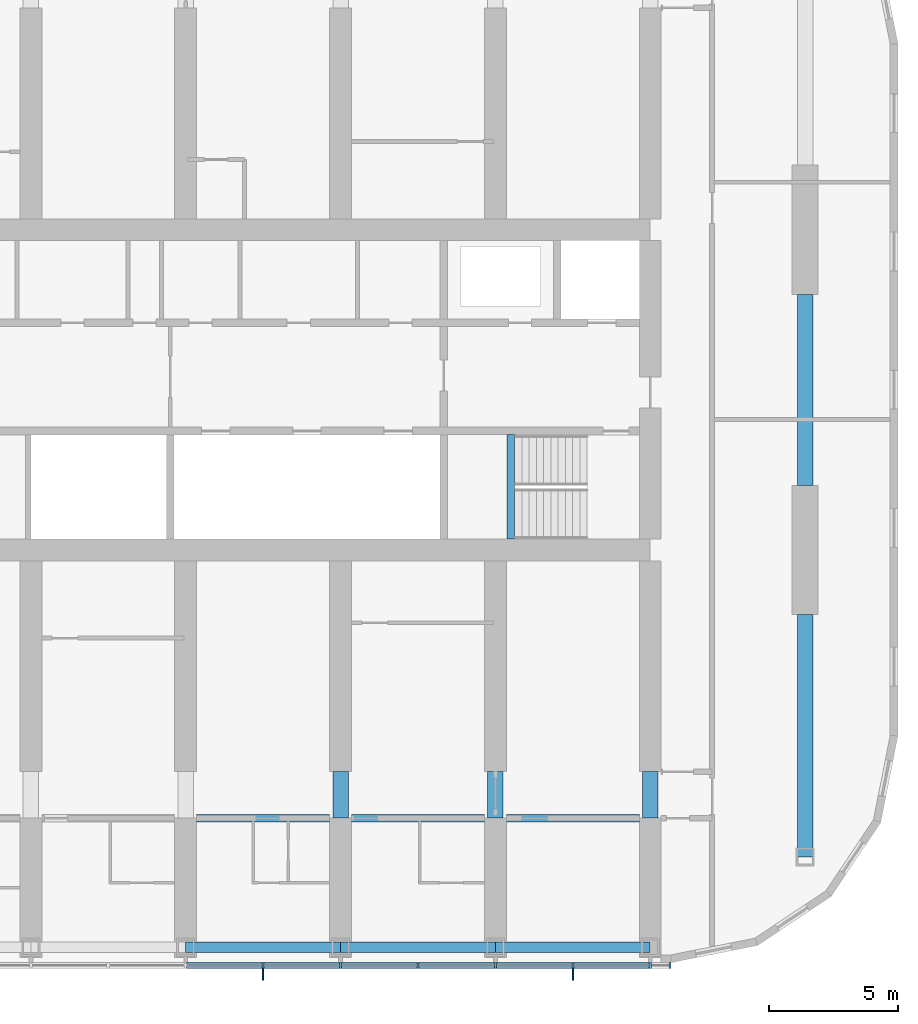
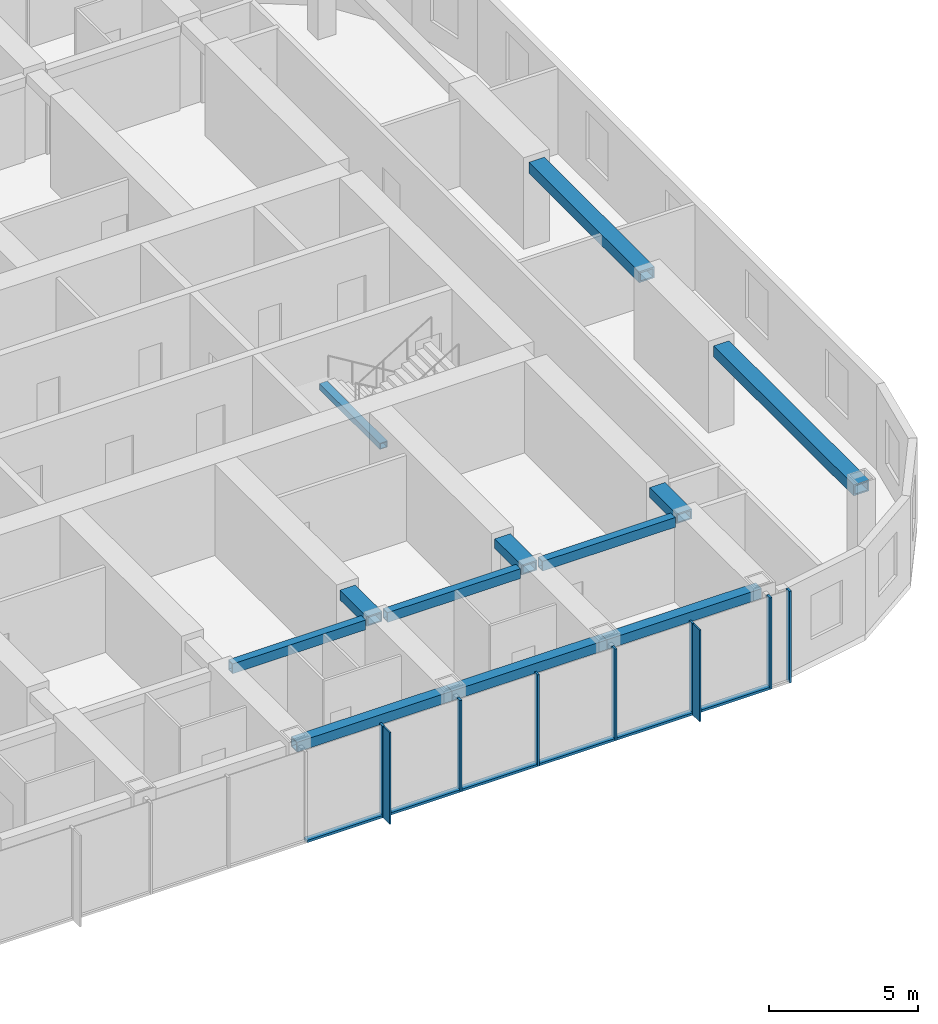
# One storey, part 3 of 22: 15 members, 12 beams, 1 element without a shape of its own.
"""IFC4 building model written with IfcOpenShell, lengths in metres."""

from ifc_helpers import new_model, si_unit, direction, frame, origin, origin_2d, place, context, subcontext, project, spatial, rectangle, hollow_rectangle, extrude, material, material_profile, profile_set, type_object, element, aggregate, save


model = new_model("IFC4")

# Units and contexts
model_context = context("Model", 3, precision=1e-05, world=origin(), true_north=direction((0.0, 1.0)))
body_context = subcontext(model_context, "Body", "Model", "MODEL_VIEW")
ifc_project = project(units=[si_unit("LENGTHUNIT", "METRE"), si_unit("AREAUNIT", "SQUARE_METRE"), si_unit("VOLUMEUNIT", "CUBIC_METRE"), si_unit("PLANEANGLEUNIT", "RADIAN"), si_unit("MASSUNIT", "GRAM", prefix="KILO")], contexts=[model_context])

# Site, building, storey
site_placement = place(None, origin())
site = spatial("IfcSite", under=ifc_project, at=site_placement, CompositionType="ELEMENT")
building_placement = place(site_placement, origin())
building = spatial("IfcBuilding", under=site, at=building_placement, Name="Orbita Commons", CompositionType="ELEMENT")
storey_placement = place(building_placement, frame((0.0, 0.0, 152.35009765625)))
storey = spatial("IfcBuildingStorey", under=building, at=storey_placement, Name="L37", CompositionType="ELEMENT", Elevation=152.35009765625)

# Curtain wall, members
ifc_material_1 = material(Name="Anodised aluminium frame, pale silver", Category="aluminium")
curtain_wall_type = type_object("IfcCurtainWallType", Name="Unitised curtain wall CW-U, full-height vision", PredefinedType="NOTDEFINED", material=ifc_material_1)
curtain_wall_placement = place(storey_placement, origin())
curtain_wall = element("IfcCurtainWall", 1, at=curtain_wall_placement, inside=storey, type_object=curtain_wall_type, Name="Curtain wall south L37", PredefinedType="NOTDEFINED")
ifc_material_2 = material(Name="Anodised aluminium, pale silver", Category="aluminium")
ifc_material_profile_1 = material_profile(ifc_material_2, rectangle(XDim=0.080078125, YDim=0.219970703125, at=origin_2d()), Name="AL 80x220")
ifc_profile_set_1 = profile_set([ifc_material_profile_1], Name="Anodised aluminium, pale silver")
member_type_1 = type_object("IfcMemberType", Name="Curtain wall mullion 80x220", PredefinedType="MULLION", material=ifc_profile_set_1)
member_1_placement = place(storey_placement, frame((51.0, 9.68994140625, -0.25), z_axis=(0.0, 0.0, 1.0), x_axis=(1.0, 0.0, 0.0)))
member_1 = element("IfcMember", 2, at=member_1_placement, type_object=member_type_1, Name="Mullion 13 CW-L37-S", PredefinedType="MULLION", context=body_context, shape_type="SweptSolid", body=[
    extrude(rectangle(XDim=0.080078125, YDim=0.219970703125, at=origin_2d()), origin(), (0.0, 0.0, 1.0), 3.75),
])
member_2_placement = place(storey_placement, frame((54.0, 9.68994140625, -0.25), z_axis=(0.0, 0.0, 1.0), x_axis=(1.0, 0.0, 0.0)))
member_2 = element("IfcMember", 3, at=member_2_placement, type_object=member_type_1, Name="Mullion 14 CW-L37-S", PredefinedType="MULLION", context=body_context, shape_type="SweptSolid", body=[
    extrude(rectangle(XDim=0.080078125, YDim=0.219970703125, at=origin_2d()), origin(), (0.0, 0.0, 1.0), 3.75),
])
member_3_placement = place(storey_placement, frame((57.0, 9.68994140625, -0.25), z_axis=(0.0, 0.0, 1.0), x_axis=(1.0, 0.0, 0.0)))
member_3 = element("IfcMember", 4, at=member_3_placement, type_object=member_type_1, Name="Mullion 15 CW-L37-S", PredefinedType="MULLION", context=body_context, shape_type="SweptSolid", body=[
    extrude(rectangle(XDim=0.080078125, YDim=0.219970703125, at=origin_2d()), origin(), (0.0, 0.0, 1.0), 3.75),
])
member_4_placement = place(storey_placement, frame((60.0, 9.68994140625, -0.25), z_axis=(0.0, 0.0, 1.0), x_axis=(1.0, 0.0, 0.0)))
member_4 = element("IfcMember", 5, at=member_4_placement, type_object=member_type_1, Name="Mullion 16 CW-L37-S", PredefinedType="MULLION", context=body_context, shape_type="SweptSolid", body=[
    extrude(rectangle(XDim=0.080078125, YDim=0.219970703125, at=origin_2d()), origin(), (0.0, 0.0, 1.0), 3.75),
])
member_5_placement = place(storey_placement, frame((63.0, 9.68994140625, -0.25), z_axis=(0.0, 0.0, 1.0), x_axis=(1.0, 0.0, 0.0)))
member_5 = element("IfcMember", 6, at=member_5_placement, type_object=member_type_1, Name="Mullion 17 CW-L37-S", PredefinedType="MULLION", context=body_context, shape_type="SweptSolid", body=[
    extrude(rectangle(XDim=0.080078125, YDim=0.219970703125, at=origin_2d()), origin(), (0.0, 0.0, 1.0), 3.75),
])
member_6_placement = place(storey_placement, frame((66.0, 9.68994140625, -0.25), z_axis=(0.0, 0.0, 1.0), x_axis=(1.0, 0.0, 0.0)))
member_6 = element("IfcMember", 7, at=member_6_placement, type_object=member_type_1, Name="Mullion 18 CW-L37-S", PredefinedType="MULLION", context=body_context, shape_type="SweptSolid", body=[
    extrude(rectangle(XDim=0.080078125, YDim=0.219970703125, at=origin_2d()), origin(), (0.0, 0.0, 1.0), 3.75),
])
member_7_placement = place(storey_placement, frame((66.760009765625, 9.68994140625, -0.25), z_axis=(0.0, 0.0, 1.0), x_axis=(1.0, 0.0, 0.0)))
member_7 = element("IfcMember", 8, at=member_7_placement, type_object=member_type_1, Name="Mullion 19 CW-L37-S", PredefinedType="MULLION", context=body_context, shape_type="SweptSolid", body=[
    extrude(rectangle(XDim=0.080078125, YDim=0.219970703125, at=origin_2d()), origin(), (0.0, 0.0, 1.0), 3.75),
])
ifc_material_3 = material(Name="Anodised aluminium, pale silver", Category="aluminium")
ifc_material_profile_2 = material_profile(ifc_material_3, rectangle(XDim=0.219970703125, YDim=0.10009765625, at=origin_2d()), Name="AL 220x100")
ifc_profile_set_2 = profile_set([ifc_material_profile_2], Name="Anodised aluminium, pale silver")
member_type_2 = type_object("IfcMemberType", Name="Curtain wall stack transom 220x100", PredefinedType="USERDEFINED", material=ifc_profile_set_2)
member_8_placement = place(storey_placement, frame((48.0400390625, 9.68994140625, -0.2001953125), z_axis=(1.0, 0.0, 0.0), x_axis=(0.0, 1.0, 0.0)))
member_8 = element("IfcMember", 9, at=member_8_placement, type_object=member_type_2, Name="Transom 12.1 CW-L37-S", ObjectType="TRANSOM", PredefinedType="USERDEFINED", context=body_context, shape_type="SweptSolid", body=[
    extrude(rectangle(XDim=0.219970703125, YDim=0.10009765625, at=origin_2d()), origin(), (0.0, 0.0, 1.0), 2.919921875),
])
member_9_placement = place(storey_placement, frame((51.0400390625, 9.68994140625, -0.2001953125), z_axis=(1.0, 0.0, 0.0), x_axis=(0.0, 1.0, 0.0)))
member_9 = element("IfcMember", 10, at=member_9_placement, type_object=member_type_2, Name="Transom 13.1 CW-L37-S", ObjectType="TRANSOM", PredefinedType="USERDEFINED", context=body_context, shape_type="SweptSolid", body=[
    extrude(rectangle(XDim=0.219970703125, YDim=0.10009765625, at=origin_2d()), origin(), (0.0, 0.0, 1.0), 2.919921875),
])
member_10_placement = place(storey_placement, frame((54.0400390625, 9.68994140625, -0.2001953125), z_axis=(1.0, 0.0, 0.0), x_axis=(0.0, 1.0, 0.0)))
member_10 = element("IfcMember", 11, at=member_10_placement, type_object=member_type_2, Name="Transom 14.1 CW-L37-S", ObjectType="TRANSOM", PredefinedType="USERDEFINED", context=body_context, shape_type="SweptSolid", body=[
    extrude(rectangle(XDim=0.219970703125, YDim=0.10009765625, at=origin_2d()), origin(), (0.0, 0.0, 1.0), 2.919921875),
])
member_11_placement = place(storey_placement, frame((57.0400390625, 9.68994140625, -0.2001953125), z_axis=(1.0, 0.0, 0.0), x_axis=(0.0, 1.0, 0.0)))
member_11 = element("IfcMember", 12, at=member_11_placement, type_object=member_type_2, Name="Transom 15.1 CW-L37-S", ObjectType="TRANSOM", PredefinedType="USERDEFINED", context=body_context, shape_type="SweptSolid", body=[
    extrude(rectangle(XDim=0.219970703125, YDim=0.10009765625, at=origin_2d()), origin(), (0.0, 0.0, 1.0), 2.919921875),
])
member_12_placement = place(storey_placement, frame((60.0400390625, 9.68994140625, -0.2001953125), z_axis=(1.0, 0.0, 0.0), x_axis=(0.0, 1.0, 0.0)))
member_12 = element("IfcMember", 13, at=member_12_placement, type_object=member_type_2, Name="Transom 16.1 CW-L37-S", ObjectType="TRANSOM", PredefinedType="USERDEFINED", context=body_context, shape_type="SweptSolid", body=[
    extrude(rectangle(XDim=0.219970703125, YDim=0.10009765625, at=origin_2d()), origin(), (0.0, 0.0, 1.0), 2.919921875),
])
member_13_placement = place(storey_placement, frame((63.0400390625, 9.68994140625, -0.2001953125), z_axis=(1.0, 0.0, 0.0), x_axis=(0.0, 1.0, 0.0)))
member_13 = element("IfcMember", 14, at=member_13_placement, type_object=member_type_2, Name="Transom 17.1 CW-L37-S", ObjectType="TRANSOM", PredefinedType="USERDEFINED", context=body_context, shape_type="SweptSolid", body=[
    extrude(rectangle(XDim=0.219970703125, YDim=0.10009765625, at=origin_2d()), origin(), (0.0, 0.0, 1.0), 2.919921875),
])

# Beams
ifc_material_4 = material(Name="Steel ASTM A572 Gr 50 welded plate", Category="steel")
ifc_material_profile_3 = material_profile(ifc_material_4, hollow_rectangle(XDim=0.300048828125, YDim=0.25, WallThickness=0.02490234375, at=origin_2d()), Name="BOX 250x300x25")
ifc_profile_set_3 = profile_set([ifc_material_profile_3], Name="Steel ASTM A572 Gr 50 welded plate")
beam_type_1 = type_object("IfcBeamType", Name="Stair landing beam steel BOX 250x300x25", PredefinedType="BEAM", material=ifc_profile_set_3)
beam_1_placement = place(storey_placement, frame((60.60009765625, 26.2099609375, 1.5498046875), z_axis=(0.0, 1.0, 0.0), x_axis=(-1.0, 0.0, 0.0)))
element("IfcBeam", 15, at=beam_1_placement, inside=storey, type_object=beam_type_1, Name="Stair S2 landing beam L37 1", PredefinedType="BEAM", context=body_context, shape_type="SweptSolid", body=[
    extrude(hollow_rectangle(XDim=0.300048828125, YDim=0.25, WallThickness=0.02490234375, at=origin_2d()), origin(), (0.0, 0.0, 1.0), 4.054931640625),
])
ifc_material_5 = material(Name="Steel ASTM A572 Gr 50 welded plate", Category="steel")
ifc_material_profile_4 = material_profile(ifc_material_5, hollow_rectangle(XDim=0.300048828125, YDim=0.39990234375, WallThickness=0.0400390625, at=origin_2d()), Name="BOX 400x300x40")
ifc_profile_set_4 = profile_set([ifc_material_profile_4], Name="Steel ASTM A572 Gr 50 welded plate")
beam_type_2 = type_object("IfcBeamType", Name="Steel corridor link BOX 400x300x40", PredefinedType="BEAM", material=ifc_profile_set_4)
for number, where, z_axis, x_axis, name in (
    (16, (48.425048828125, 15.39990234375, 3.2998046875), (1.0, 0.0, 0.0), (0.0, 1.0, 0.0), "Corridor beam SA 9-10 L37"),
    (17, (54.425048828125, 15.39990234375, 3.2998046875), (1.0, 0.0, 0.0), (0.0, 1.0, 0.0), "Corridor beam SA 10-11 L37"),
    (18, (60.425048828125, 15.39990234375, 3.2998046875), (1.0, 0.0, 0.0), (0.0, 1.0, 0.0), "Corridor beam SA 11-12 L37"),
):
    element("IfcBeam", number, at=place(storey_placement, frame(where, z_axis=z_axis, x_axis=x_axis)), inside=storey, type_object=beam_type_2, Name=name, PredefinedType="BEAM", context=body_context, shape_type="SweptSolid", body=[
        extrude(hollow_rectangle(XDim=0.300048828125, YDim=0.39990234375, WallThickness=0.0400390625, at=origin_2d()), origin(), (0.0, 0.0, 1.0), 5.14990234375),
    ])
ifc_material_6 = material(Name="Steel ASTM A572 Gr 50 welded plate", Category="steel")
ifc_material_profile_5 = material_profile(ifc_material_6, hollow_rectangle(XDim=0.60009765625, YDim=0.39990234375, WallThickness=0.050048828125, at=origin_2d()), Name="BOX 400x600x50")
ifc_profile_set_5 = profile_set([ifc_material_profile_5], Name="Steel ASTM A572 Gr 50 welded plate")
beam_type_3 = type_object("IfcBeamType", Name="Steel coupling link BOX 400x600x50", PredefinedType="LINTEL", material=ifc_profile_set_5)
for number, where, z_axis, x_axis, name in (
    (19, (54.0, 15.39990234375, 3.2998046875), (0.0, 1.0, 0.0), (-1.0, 0.0, 0.0), "Coupling beam 10 south L37"),
    (20, (60.0, 15.39990234375, 3.2998046875), (0.0, 1.0, 0.0), (-1.0, 0.0, 0.0), "Coupling beam 11 south L37"),
    (21, (66.0, 15.39990234375, 3.2998046875), (0.0, 1.0, 0.0), (-1.0, 0.0, 0.0), "Coupling beam 12 south L37"),
):
    element("IfcBeam", number, at=place(storey_placement, frame(where, z_axis=z_axis, x_axis=x_axis)), inside=storey, type_object=beam_type_3, Name=name, PredefinedType="LINTEL", context=body_context, shape_type="SweptSolid", body=[
        extrude(hollow_rectangle(XDim=0.60009765625, YDim=0.39990234375, WallThickness=0.050048828125, at=origin_2d()), origin(), (0.0, 0.0, 1.0), 1.800048828125),
    ])
ifc_material_7 = material(Name="Steel ASTM A572 Gr 50 welded plate", Category="steel")
ifc_material_profile_6 = material_profile(ifc_material_7, hollow_rectangle(XDim=0.60009765625, YDim=0.449951171875, WallThickness=0.06005859375, at=origin_2d()), Name="BOX 450x600x60")
ifc_profile_set_6 = profile_set([ifc_material_profile_6], Name="Steel ASTM A572 Gr 50 welded plate")
beam_type_4 = type_object("IfcBeamType", Name="Steel end frame link BOX 450x600x60", PredefinedType="BEAM", material=ifc_profile_set_6)
beam_2_placement = place(storey_placement, frame((72.0, 13.89990234375, 3.27490234375), z_axis=(0.0, 1.0, 0.0), x_axis=(-1.0, 0.0, 0.0)))
element("IfcBeam", 22, at=beam_2_placement, inside=storey, type_object=beam_type_4, Name="End frame beam 13 B-C L37", PredefinedType="BEAM", context=body_context, shape_type="SweptSolid", body=[
    extrude(hollow_rectangle(XDim=0.60009765625, YDim=0.449951171875, WallThickness=0.06005859375, at=origin_2d()), origin(), (0.0, 0.0, 1.0), 9.400146484375),
])
beam_3_placement = place(storey_placement, frame((72.0, 28.300048828125, 3.27490234375), z_axis=(0.0, 1.0, 0.0), x_axis=(-1.0, 0.0, 0.0)))
element("IfcBeam", 23, at=beam_3_placement, inside=storey, type_object=beam_type_4, Name="End frame beam 13 C-D L37", PredefinedType="BEAM", context=body_context, shape_type="SweptSolid", body=[
    extrude(hollow_rectangle(XDim=0.60009765625, YDim=0.449951171875, WallThickness=0.06005859375, at=origin_2d()), origin(), (0.0, 0.0, 1.0), 7.39990234375),
])
ifc_material_8 = material(Name="Steel ASTM A572 Gr 50 welded plate", Category="steel")
ifc_material_profile_7 = material_profile(ifc_material_8, hollow_rectangle(XDim=0.39990234375, YDim=0.39990234375, WallThickness=0.0400390625, at=origin_2d()), Name="BOX 400x400x40")
ifc_profile_set_7 = profile_set([ifc_material_profile_7], Name="Steel ASTM A572 Gr 50 welded plate")
beam_type_5 = type_object("IfcBeamType", Name="Steel spandrel BOX 400x400x40", PredefinedType="SPANDREL", material=ifc_profile_set_7)
for number, where, z_axis, x_axis, name in (
    (24, (48.0, 10.39990234375, 3.2998046875), (1.0, 0.0, 0.0), (0.0, 1.0, 0.0), "Spandrel beam B 9-10 L37"),
    (25, (54.0, 10.39990234375, 3.2998046875), (1.0, 0.0, 0.0), (0.0, 1.0, 0.0), "Spandrel beam B 10-11 L37"),
    (26, (60.0, 10.39990234375, 3.2998046875), (1.0, 0.0, 0.0), (0.0, 1.0, 0.0), "Spandrel beam B 11-12 L37"),
):
    element("IfcBeam", number, at=place(storey_placement, frame(where, z_axis=z_axis, x_axis=x_axis)), inside=storey, type_object=beam_type_5, Name=name, PredefinedType="SPANDREL", context=body_context, shape_type="SweptSolid", body=[
        extrude(hollow_rectangle(XDim=0.39990234375, YDim=0.39990234375, WallThickness=0.0400390625, at=origin_2d()), origin(), (0.0, 0.0, 1.0), 6.0),
    ])

# Member
ifc_material_9 = material(Name="Anodised aluminium, pale silver", Category="aluminium")
ifc_material_profile_8 = material_profile(ifc_material_9, rectangle(XDim=0.06005859375, YDim=0.449951171875, at=origin_2d()), Name="FIN 60x450")
ifc_profile_set_8 = profile_set([ifc_material_profile_8], Name="Anodised aluminium, pale silver")
member_type_3 = type_object("IfcMemberType", Name="Vertical fin 60x450 pale aluminium", PredefinedType="USERDEFINED", material=ifc_profile_set_8)
member_14_placement = place(storey_placement, frame((51.0, 9.35498046875, -0.25), z_axis=(0.0, 0.0, 1.0), x_axis=(1.0, 0.0, 0.0)))
member_14 = element("IfcMember", 27, at=member_14_placement, type_object=member_type_3, Name="Fin 13 CW-L37-S", ObjectType="FIN", PredefinedType="USERDEFINED", context=body_context, shape_type="SweptSolid", body=[
    extrude(rectangle(XDim=0.06005859375, YDim=0.449951171875, at=origin_2d()), origin(), (0.0, 0.0, 1.0), 3.75),
])

member_15_placement = place(storey_placement, frame((63.0, 9.35498046875, -0.25), z_axis=(0.0, 0.0, 1.0), x_axis=(1.0, 0.0, 0.0)))
member_15 = element("IfcMember", 28, at=member_15_placement, type_object=member_type_3, Name="Fin 17 CW-L37-S", ObjectType="FIN", PredefinedType="USERDEFINED", context=body_context, shape_type="SweptSolid", body=[
    extrude(rectangle(XDim=0.06005859375, YDim=0.449951171875, at=origin_2d()), origin(), (0.0, 0.0, 1.0), 3.75),
])

aggregate(curtain_wall, [member_1, member_14, member_2, member_3, member_4, member_5, member_15, member_6, member_7, member_8, member_9, member_10, member_11, member_12, member_13])

save(model, "model.ifc")
